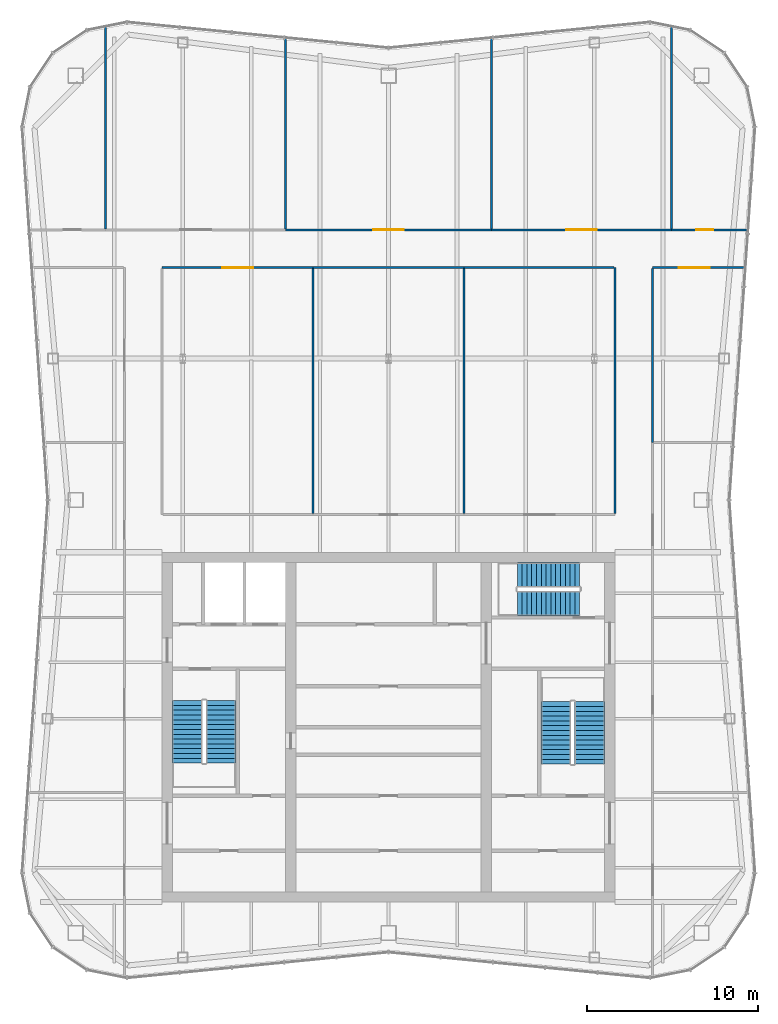
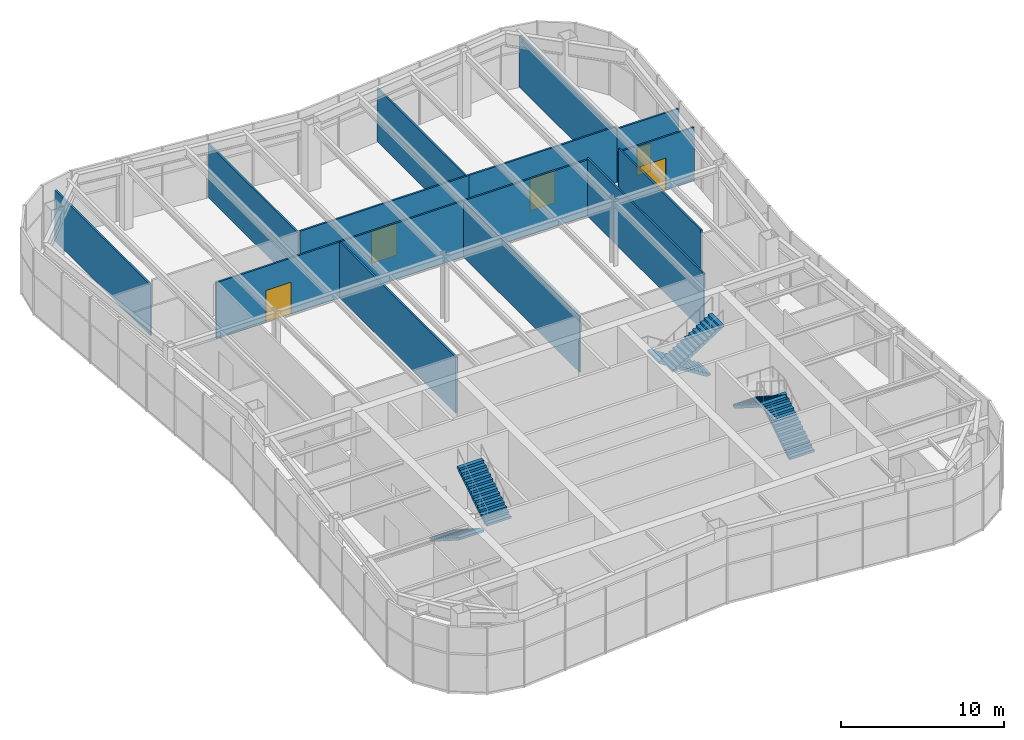
# One storey, part 11 of 13: 15 walls, 6 stair flights, 5 doors, 5 openings, 3 elements without a shape of their own.
"""IFC4 building model written with IfcOpenShell, lengths in metres."""

from ifc_helpers import new_model, si_unit, direction, frame, frame_2d, origin, place, context, subcontext, project, spatial, polyline, rectangle, outline, extrude, material, layer, layer_set, type_object, element, fill, aggregate, save


model = new_model("IFC4")

# Units and contexts
model_context = context("Model", 3, precision=1e-05, world=origin(), true_north=direction((0.0, 1.0)))
body_context = subcontext(model_context, "Body", "Model", "MODEL_VIEW")
ifc_project = project(units=[si_unit("LENGTHUNIT", "METRE"), si_unit("AREAUNIT", "SQUARE_METRE"), si_unit("VOLUMEUNIT", "CUBIC_METRE"), si_unit("PLANEANGLEUNIT", "RADIAN"), si_unit("MASSUNIT", "GRAM", prefix="KILO")], contexts=[model_context])

# Site, building, storey
site_placement = place(None, origin())
site = spatial("IfcSite", under=ifc_project, at=site_placement, CompositionType="ELEMENT")
building_placement = place(site_placement, origin())
building = spatial("IfcBuilding", under=site, at=building_placement, Name="Verdant Reach Tower", CompositionType="ELEMENT")
storey_placement = place(building_placement, frame((0.0, 0.0, 349.5)))
storey = spatial("IfcBuildingStorey", under=building, at=storey_placement, Name="L79 Plant", CompositionType="ELEMENT", Elevation=349.5)

# Wall, opening, door
ifc_material_1 = material(Name="Gypsum board on steel studs, fire rated", Category="steel")
ifc_layer = layer(ifc_material_1, 0.125)
ifc_layer_set = layer_set([ifc_layer], Name="SV-W2 Plant wall 125 EI 60")
wall_type = type_object("IfcWallType", Name="SV-W2 Plant wall 125 EI 60", PredefinedType="PARTITIONING", material=ifc_layer_set)
wall_1_placement = place(storey_placement, frame((-4.39990234375, 54.800048828125, 0.0), z_axis=(0.0, 0.0, 1.0), x_axis=(-1.0, 0.0, 0.0)))
wall_1 = element("IfcWall", 1, at=wall_1_placement, inside=storey, type_object=wall_type, Name="Partition L79.01", PredefinedType="PARTITIONING", context=body_context, shape_type="SweptSolid", body=[
    extrude(rectangle(XDim=8.800048828125, YDim=0.125, at=frame_2d((4.39990234375, 0.0))), origin(), (0.0, 0.0, 1.0), 4.219970703125),
])
opening_1_placement = place(wall_1_placement, frame((3.5, 0.0, 0.0)))
opening_1 = element("IfcOpeningElement", 2, at=opening_1_placement, cuts=wall_1, Name="Opening SD3", PredefinedType="OPENING", context=body_context, shape_type="SweptSolid", body=[
    extrude(rectangle(XDim=1.800048828125, YDim=2.39990234375, at=frame_2d((0.89990234375, 1.199951171875))), frame((0.0, 0.072509765625, 0.0), z_axis=(0.0, -1.0, 0.0), x_axis=(1.0, 0.0, 0.0)), (0.0, 0.0, 1.0), 0.14501953125),
])
ifc_material_2 = material(Name="Steel door leaves, fire rated", Category="steel")
door_type_1 = type_object("IfcDoorType", Name="SV-D3 Equipment door 1800x2400 FD60", OperationType="DOUBLE_DOOR_SINGLE_SWING", PredefinedType="DOOR", material=ifc_material_2)
door_1_placement = place(opening_1_placement, origin())
door_1 = element("IfcDoor", 3, at=door_1_placement, inside=storey, type_object=door_type_1, Name="Door L79-001", OperationType="DOUBLE_DOOR_SINGLE_SWING", OverallHeight=2.39990234375, OverallWidth=1.800048828125, PredefinedType="DOOR", context=body_context, shape_type="SweptSolid", body=[
    extrude(rectangle(XDim=1.800048828125, YDim=2.39990234375, at=frame_2d((0.89990234375, 1.199951171875))), frame((0.0, 0.02490234375, 0.0), z_axis=(0.0, -1.0, 0.0), x_axis=(1.0, 0.0, 0.0)), (0.0, 0.0, 1.0), 0.050048828125),
])
fill(opening_1, door_1)

# Walls
wall_2_placement = place(storey_placement, frame((4.39990234375, 54.800048828125, 0.0), z_axis=(0.0, 0.0, 1.0), x_axis=(-1.0, 0.0, 0.0)))
element("IfcWall", 4, at=wall_2_placement, inside=storey, type_object=wall_type, Name="Partition L79.05", PredefinedType="PARTITIONING", context=body_context, shape_type="SweptSolid", body=[
    extrude(rectangle(XDim=8.7998046875, YDim=0.125, at=frame_2d((4.39990234375, 0.0))), origin(), (0.0, 0.0, 1.0), 4.219970703125),
])
wall_3_placement = place(storey_placement, frame((13.199951171875, 40.46240234375, 0.0), z_axis=(0.0, 0.0, 1.0), x_axis=(0.0, 1.0, 0.0)))
element("IfcWall", 5, at=wall_3_placement, inside=storey, type_object=wall_type, Name="Partition L79.07", PredefinedType="PARTITIONING", context=body_context, shape_type="SweptSolid", body=[
    extrude(rectangle(XDim=14.337646484375, YDim=0.125, at=frame_2d((7.1689453125, 0.0))), origin(), (0.0, 0.0, 1.0), 4.330078125),
])
wall_4_placement = place(storey_placement, frame((13.137451171875, 54.800048828125, 0.0), z_axis=(0.0, 0.0, 1.0), x_axis=(-1.0, 0.0, 0.0)))
element("IfcWall", 6, at=wall_4_placement, inside=storey, type_object=wall_type, Name="Partition L79.08", PredefinedType="PARTITIONING", context=body_context, shape_type="SweptSolid", body=[
    extrude(rectangle(XDim=8.737548828125, YDim=0.125, at=frame_2d((4.36865234375, 0.0))), origin(), (0.0, 0.0, 1.0), 4.219970703125),
])

# Wall, opening, door
wall_5_placement = place(storey_placement, frame((20.764404296875, 54.800048828125, 0.0), z_axis=(0.0, 0.0, 1.0), x_axis=(-1.0, 0.0, 0.0)))
wall_5 = element("IfcWall", 7, at=wall_5_placement, inside=storey, type_object=wall_type, Name="Partition L79.17", PredefinedType="PARTITIONING", context=body_context, shape_type="SweptSolid", body=[
    extrude(rectangle(XDim=5.364501953125, YDim=0.125, at=frame_2d((2.68212890625, 0.0))), origin(), (0.0, 0.0, 1.0), 4.02001953125),
])
opening_2_placement = place(wall_5_placement, frame((2.048095703125, 0.0, 0.0)))
opening_2 = element("IfcOpeningElement", 8, at=opening_2_placement, cuts=wall_5, Name="Opening SD3", PredefinedType="OPENING", context=body_context, shape_type="SweptSolid", body=[
    extrude(rectangle(XDim=1.800048828125, YDim=2.39990234375, at=frame_2d((0.89990234375, 1.199951171875))), frame((0.0, 0.072509765625, 0.0), z_axis=(0.0, -1.0, 0.0), x_axis=(1.0, 0.0, 0.0)), (0.0, 0.0, 1.0), 0.14501953125),
])
door_2_placement = place(opening_2_placement, origin())
door_2 = element("IfcDoor", 9, at=door_2_placement, inside=storey, type_object=door_type_1, Name="Door L79-011", OperationType="DOUBLE_DOOR_SINGLE_SWING", OverallHeight=2.39990234375, OverallWidth=1.800048828125, PredefinedType="DOOR", context=body_context, shape_type="SweptSolid", body=[
    extrude(rectangle(XDim=1.800048828125, YDim=2.39990234375, at=frame_2d((0.89990234375, 1.199951171875))), frame((0.0, 0.02490234375, 0.0), z_axis=(0.0, -1.0, 0.0), x_axis=(1.0, 0.0, 0.0)), (0.0, 0.0, 1.0), 0.050048828125),
])
fill(opening_2, door_2)

# Wall
wall_6_placement = place(storey_placement, frame((15.39990234375, 54.737548828125, 0.0), z_axis=(0.0, 0.0, 1.0), x_axis=(0.0, -1.0, 0.0)))
element("IfcWall", 10, at=wall_6_placement, inside=storey, type_object=wall_type, Name="Partition L79.18", PredefinedType="PARTITIONING", context=body_context, shape_type="SweptSolid", body=[
    extrude(rectangle(XDim=10.137451171875, YDim=0.125, at=frame_2d((5.06884765625, 0.0))), origin(), (0.0, 0.0, 1.0), 4.330078125),
])

# Wall, opening, door
wall_7_placement = place(storey_placement, frame((6.0, 57.0, 0.0), z_axis=(0.0, 0.0, 1.0), x_axis=(-1.0, 0.0, 0.0)))
wall_7 = element("IfcWall", 11, at=wall_7_placement, inside=storey, type_object=wall_type, Name="Partition L79.21", PredefinedType="PARTITIONING", context=body_context, shape_type="SweptSolid", body=[
    extrude(rectangle(XDim=12.0, YDim=0.125, at=frame_2d((6.0, 0.0))), origin(), (0.0, 0.0, 1.0), 4.219970703125),
])
opening_3_placement = place(wall_7_placement, frame((5.10009765625, 0.0, 0.0)))
opening_3 = element("IfcOpeningElement", 12, at=opening_3_placement, cuts=wall_7, Name="Opening SD3", PredefinedType="OPENING", context=body_context, shape_type="SweptSolid", body=[
    extrude(rectangle(XDim=1.800048828125, YDim=2.39990234375, at=frame_2d((0.89990234375, 1.199951171875))), frame((0.0, 0.072509765625, 0.0), z_axis=(0.0, -1.0, 0.0), x_axis=(1.0, 0.0, 0.0)), (0.0, 0.0, 1.0), 0.14501953125),
])
door_3_placement = place(opening_3_placement, origin())
door_3 = element("IfcDoor", 13, at=door_3_placement, inside=storey, type_object=door_type_1, Name="Door L79-014", OperationType="DOUBLE_DOOR_SINGLE_SWING", OverallHeight=2.39990234375, OverallWidth=1.800048828125, PredefinedType="DOOR", context=body_context, shape_type="SweptSolid", body=[
    extrude(rectangle(XDim=1.800048828125, YDim=2.39990234375, at=frame_2d((0.89990234375, 1.199951171875))), frame((0.0, 0.02490234375, 0.0), z_axis=(0.0, -1.0, 0.0), x_axis=(1.0, 0.0, 0.0)), (0.0, 0.0, 1.0), 0.050048828125),
])
fill(opening_3, door_3)

wall_8_placement = place(storey_placement, frame((16.5, 57.0, 0.0), z_axis=(0.0, 0.0, 1.0), x_axis=(-1.0, 0.0, 0.0)))
wall_8 = element("IfcWall", 14, at=wall_8_placement, inside=storey, type_object=wall_type, Name="Partition L79.22", PredefinedType="PARTITIONING", context=body_context, shape_type="SweptSolid", body=[
    extrude(rectangle(XDim=10.5, YDim=0.125, at=frame_2d((5.25, 0.0))), origin(), (0.0, 0.0, 1.0), 4.219970703125),
])
opening_4_placement = place(wall_8_placement, frame((4.35009765625, 0.0, 0.0)))
opening_4 = element("IfcOpeningElement", 15, at=opening_4_placement, cuts=wall_8, Name="Opening SD3", PredefinedType="OPENING", context=body_context, shape_type="SweptSolid", body=[
    extrude(rectangle(XDim=1.800048828125, YDim=2.39990234375, at=frame_2d((0.89990234375, 1.199951171875))), frame((0.0, 0.072509765625, 0.0), z_axis=(0.0, -1.0, 0.0), x_axis=(1.0, 0.0, 0.0)), (0.0, 0.0, 1.0), 0.14501953125),
])
door_4_placement = place(opening_4_placement, origin())
door_4 = element("IfcDoor", 16, at=door_4_placement, inside=storey, type_object=door_type_1, Name="Door L79-015", OperationType="DOUBLE_DOOR_SINGLE_SWING", OverallHeight=2.39990234375, OverallWidth=1.800048828125, PredefinedType="DOOR", context=body_context, shape_type="SweptSolid", body=[
    extrude(rectangle(XDim=1.800048828125, YDim=2.39990234375, at=frame_2d((0.89990234375, 1.199951171875))), frame((0.0, 0.02490234375, 0.0), z_axis=(0.0, -1.0, 0.0), x_axis=(1.0, 0.0, 0.0)), (0.0, 0.0, 1.0), 0.050048828125),
])
fill(opening_4, door_4)

wall_9_placement = place(storey_placement, frame((20.916259765625, 57.0, 0.0), z_axis=(0.0, 0.0, 1.0), x_axis=(-1.0, 0.0, 0.0)))
wall_9 = element("IfcWall", 17, at=wall_9_placement, inside=storey, type_object=wall_type, Name="Partition L79.23", PredefinedType="PARTITIONING", context=body_context, shape_type="SweptSolid", body=[
    extrude(rectangle(XDim=4.416259765625, YDim=0.125, at=frame_2d((2.2080078125, 0.0))), origin(), (0.0, 0.0, 1.0), 4.02001953125),
])
opening_5_placement = place(wall_9_placement, frame((1.9736328125, 0.0, 0.0)))
opening_5 = element("IfcOpeningElement", 18, at=opening_5_placement, cuts=wall_9, Name="Opening SD4", PredefinedType="OPENING", context=body_context, shape_type="SweptSolid", body=[
    extrude(rectangle(XDim=1.0, YDim=2.10009765625, at=frame_2d((0.5, 1.050048828125))), frame((0.0, 0.072509765625, 0.0), z_axis=(0.0, -1.0, 0.0), x_axis=(1.0, 0.0, 0.0)), (0.0, 0.0, 1.0), 0.14501953125),
])
ifc_material_3 = material(Name="Steel door leaf, fire rated", Category="steel")
door_type_2 = type_object("IfcDoorType", Name="SV-D4 Door 1000x2100 FD120", OperationType="NOTDEFINED", PredefinedType="DOOR", material=ifc_material_3)
door_5_placement = place(opening_5_placement, origin())
door_5 = element("IfcDoor", 19, at=door_5_placement, inside=storey, type_object=door_type_2, Name="Door L79-016", OperationType="SINGLE_SWING_RIGHT", OverallHeight=2.10009765625, OverallWidth=1.0, PredefinedType="DOOR", context=body_context, shape_type="SweptSolid", body=[
    extrude(rectangle(XDim=1.0, YDim=2.10009765625, at=frame_2d((0.5, 1.050048828125))), frame((0.0, 0.02490234375, 0.0), z_axis=(0.0, -1.0, 0.0), x_axis=(1.0, 0.0, 0.0)), (0.0, 0.0, 1.0), 0.050048828125),
])
fill(opening_5, door_5)

# Walls
for number, where, z_axis, x_axis, name in (
    (20, (-4.39990234375, 54.737548828125, 0.0), (0.0, 0.0, 1.0), (0.0, -1.0, 0.0), "Partition L79.24"),
    (21, (4.39990234375, 54.737548828125, 0.0), (0.0, 0.0, 1.0), (0.0, -1.0, 0.0), "Partition L79.25"),
):
    element("IfcWall", number, at=place(storey_placement, frame(where, z_axis=z_axis, x_axis=x_axis)), inside=storey, type_object=wall_type, Name=name, PredefinedType="PARTITIONING", context=body_context, shape_type="SweptSolid", body=[
        extrude(rectangle(XDim=14.275146484375, YDim=0.125, at=frame_2d((7.1376953125, 0.0))), origin(), (0.0, 0.0, 1.0), 4.219970703125),
    ])
wall_10_placement = place(storey_placement, frame((-16.5, 68.831298828125, 0.0), z_axis=(0.0, 0.0, 1.0), x_axis=(0.0, -1.0, 0.0)))
element("IfcWall", 22, at=wall_10_placement, inside=storey, type_object=wall_type, Name="Partition L79.32", PredefinedType="PARTITIONING", context=body_context, shape_type="SweptSolid", body=[
    extrude(rectangle(XDim=11.768798828125, YDim=0.125, at=frame_2d((5.88427734375, 0.0))), origin(), (0.0, 0.0, 1.0), 3.81201171875),
])
for number, where, z_axis, x_axis, name in (
    (23, (-6.0, 68.170166015625, 0.0), (0.0, 0.0, 1.0), (0.0, -1.0, 0.0), "Partition L79.33"),
    (24, (6.0, 68.170166015625, 0.0), (0.0, 0.0, 1.0), (0.0, -1.0, 0.0), "Partition L79.34"),
):
    element("IfcWall", number, at=place(storey_placement, frame(where, z_axis=z_axis, x_axis=x_axis)), inside=storey, type_object=wall_type, Name=name, PredefinedType="PARTITIONING", context=body_context, shape_type="SweptSolid", body=[
        extrude(rectangle(XDim=11.107666015625, YDim=0.125, at=frame_2d((5.5537109375, 0.0))), origin(), (0.0, 0.0, 1.0), 4.02001953125),
    ])
wall_11_placement = place(storey_placement, frame((16.5, 68.831298828125, 0.0), z_axis=(0.0, 0.0, 1.0), x_axis=(0.0, -1.0, 0.0)))
element("IfcWall", 25, at=wall_11_placement, inside=storey, type_object=wall_type, Name="Partition L79.35", PredefinedType="PARTITIONING", context=body_context, shape_type="SweptSolid", body=[
    extrude(rectangle(XDim=11.768798828125, YDim=0.125, at=frame_2d((5.88427734375, 0.0))), origin(), (0.0, 0.0, 1.0), 3.81201171875),
])

# Stair, stair flights
ifc_material_4 = material(Name="Concrete C40/50", Category="concrete")
stair_type = type_object("IfcStairType", Name="CO-STAIR", PredefinedType="HALF_TURN_STAIR", material=ifc_material_4)
stair_1_placement = place(storey_placement, origin())
stair_1 = element("IfcStair", 26, at=stair_1_placement, inside=storey, type_object=stair_type, Name="L79 Plant Exit stair 1", PredefinedType="HALF_TURN_STAIR")
stair_flight_type = type_object("IfcStairFlightType", Name="CO-STAIR-FLIGHT", PredefinedType="STRAIGHT", material=ifc_material_4)
stair_flight_1_placement = place(storey_placement, frame((-11.72509765625, 29.550048828125, 0.0), z_axis=(0.0, 0.0, 1.0), x_axis=(0.0, -1.0, 0.0)))
stair_flight_1 = element("IfcStairFlight", 27, at=stair_flight_1_placement, type_object=stair_flight_type, Name="ST-1 flight 1", NumberOfRisers=14, NumberOfTreads=13, PredefinedType="STRAIGHT", RiserHeight=0.178571429, TreadLength=0.28, context=body_context, shape_type="SweptSolid", body=[
    extrude(outline(polyline([(0.0, 0.0), (0.0, 0.178466796875), (0.280029296875, 0.178466796875), (0.280029296875, 0.357177734375), (0.56005859375, 0.357177734375), (0.56005859375, 0.53564453125), (0.840087890625, 0.53564453125), (0.840087890625, 0.71435546875), (1.1201171875, 0.71435546875), (1.1201171875, 0.892822265625), (1.39990234375, 0.892822265625), (1.39990234375, 1.071533203125), (1.679931640625, 1.071533203125), (1.679931640625, 1.25), (1.9599609375, 1.25), (1.9599609375, 1.428466796875), (2.239990234375, 1.428466796875), (2.239990234375, 1.607177734375), (2.52001953125, 1.607177734375), (2.52001953125, 1.78564453125), (2.800048828125, 1.78564453125), (2.800048828125, 1.96435546875), (3.080078125, 1.96435546875), (3.080078125, 2.142822265625), (3.360107421875, 2.142822265625), (3.360107421875, 2.321533203125), (3.639892578125, 2.321533203125), (3.639892578125, 2.5), (3.639892578125, 2.1435546875), (0.27880859375, 0.0), (0.0, 0.0)])), frame((0.0, 0.875, 0.0), z_axis=(0.0, -1.0, 0.0), x_axis=(1.0, 0.0, 0.0)), (0.0, 0.0, 1.0), 1.75),
])
stair_flight_2_placement = place(storey_placement, frame((-9.77490234375, 25.909912109375, 2.5), z_axis=(0.0, 0.0, 1.0), x_axis=(0.0, 1.0, 0.0)))
stair_flight_2 = element("IfcStairFlight", 28, at=stair_flight_2_placement, type_object=stair_flight_type, Name="ST-1 flight 2", NumberOfRisers=14, NumberOfTreads=13, PredefinedType="STRAIGHT", RiserHeight=0.178571429, TreadLength=0.28, context=body_context, shape_type="SweptSolid", body=[
    extrude(outline(polyline([(0.0, 0.0), (0.0, 0.178466796875), (0.280029296875, 0.178466796875), (0.280029296875, 0.357177734375), (0.56005859375, 0.357177734375), (0.56005859375, 0.53564453125), (0.840087890625, 0.53564453125), (0.840087890625, 0.71435546875), (1.1201171875, 0.71435546875), (1.1201171875, 0.892822265625), (1.39990234375, 0.892822265625), (1.39990234375, 1.071533203125), (1.679931640625, 1.071533203125), (1.679931640625, 1.25), (1.9599609375, 1.25), (1.9599609375, 1.428466796875), (2.239990234375, 1.428466796875), (2.239990234375, 1.607177734375), (2.52001953125, 1.607177734375), (2.52001953125, 1.78564453125), (2.800048828125, 1.78564453125), (2.800048828125, 1.96435546875), (3.080078125, 1.96435546875), (3.080078125, 2.142822265625), (3.360107421875, 2.142822265625), (3.360107421875, 2.321533203125), (3.639892578125, 2.321533203125), (3.639892578125, 2.5), (3.639892578125, 2.1435546875), (0.27880859375, 0.0), (0.0, 0.0)])), frame((0.0, 0.875, 0.0), z_axis=(0.0, -1.0, 0.0), x_axis=(1.0, 0.0, 0.0)), (0.0, 0.0, 1.0), 1.75),
])
aggregate(stair_1, [stair_flight_1, stair_flight_2])

stair_2_placement = place(storey_placement, origin())
stair_2 = element("IfcStair", 29, at=stair_2_placement, inside=storey, type_object=stair_type, Name="L79 Plant Exit stair 2", PredefinedType="HALF_TURN_STAIR")
stair_flight_3_placement = place(storey_placement, frame((11.72509765625, 25.85009765625, 0.0), z_axis=(0.0, 0.0, 1.0), x_axis=(0.0, 1.0, 0.0)))
stair_flight_3 = element("IfcStairFlight", 30, at=stair_flight_3_placement, type_object=stair_flight_type, Name="ST-2 flight 1", NumberOfRisers=14, NumberOfTreads=13, PredefinedType="STRAIGHT", RiserHeight=0.178571429, TreadLength=0.28, context=body_context, shape_type="SweptSolid", body=[
    extrude(outline(polyline([(0.0, 0.0), (0.0, 0.178466796875), (0.280029296875, 0.178466796875), (0.280029296875, 0.357177734375), (0.56005859375, 0.357177734375), (0.56005859375, 0.53564453125), (0.840087890625, 0.53564453125), (0.840087890625, 0.71435546875), (1.1201171875, 0.71435546875), (1.1201171875, 0.892822265625), (1.39990234375, 0.892822265625), (1.39990234375, 1.071533203125), (1.679931640625, 1.071533203125), (1.679931640625, 1.25), (1.9599609375, 1.25), (1.9599609375, 1.428466796875), (2.239990234375, 1.428466796875), (2.239990234375, 1.607177734375), (2.52001953125, 1.607177734375), (2.52001953125, 1.78564453125), (2.800048828125, 1.78564453125), (2.800048828125, 1.96435546875), (3.080078125, 1.96435546875), (3.080078125, 2.142822265625), (3.360107421875, 2.142822265625), (3.360107421875, 2.321533203125), (3.639892578125, 2.321533203125), (3.639892578125, 2.5), (3.639892578125, 2.1435546875), (0.27880859375, 0.0), (0.0, 0.0)])), frame((0.0, 0.875, 0.0), z_axis=(0.0, -1.0, 0.0), x_axis=(1.0, 0.0, 0.0)), (0.0, 0.0, 1.0), 1.75),
])
stair_flight_4_placement = place(storey_placement, frame((9.77490234375, 29.489990234375, 2.5), z_axis=(0.0, 0.0, 1.0), x_axis=(0.0, -1.0, 0.0)))
stair_flight_4 = element("IfcStairFlight", 31, at=stair_flight_4_placement, type_object=stair_flight_type, Name="ST-2 flight 2", NumberOfRisers=14, NumberOfTreads=13, PredefinedType="STRAIGHT", RiserHeight=0.178571429, TreadLength=0.28, context=body_context, shape_type="SweptSolid", body=[
    extrude(outline(polyline([(0.0, 0.0), (0.0, 0.178466796875), (0.280029296875, 0.178466796875), (0.280029296875, 0.357177734375), (0.56005859375, 0.357177734375), (0.56005859375, 0.53564453125), (0.840087890625, 0.53564453125), (0.840087890625, 0.71435546875), (1.1201171875, 0.71435546875), (1.1201171875, 0.892822265625), (1.39990234375, 0.892822265625), (1.39990234375, 1.071533203125), (1.679931640625, 1.071533203125), (1.679931640625, 1.25), (1.9599609375, 1.25), (1.9599609375, 1.428466796875), (2.239990234375, 1.428466796875), (2.239990234375, 1.607177734375), (2.52001953125, 1.607177734375), (2.52001953125, 1.78564453125), (2.800048828125, 1.78564453125), (2.800048828125, 1.96435546875), (3.080078125, 1.96435546875), (3.080078125, 2.142822265625), (3.360107421875, 2.142822265625), (3.360107421875, 2.321533203125), (3.639892578125, 2.321533203125), (3.639892578125, 2.5), (3.639892578125, 2.1435546875), (0.27880859375, 0.0), (0.0, 0.0)])), frame((0.0, 0.875, 0.0), z_axis=(0.0, -1.0, 0.0), x_axis=(1.0, 0.0, 0.0)), (0.0, 0.0, 1.0), 1.75),
])
aggregate(stair_2, [stair_flight_3, stair_flight_4])

stair_3_placement = place(storey_placement, origin())
stair_3 = element("IfcStair", 32, at=stair_3_placement, inside=storey, type_object=stair_type, Name="L79 Plant Exit stair 3", PredefinedType="HALF_TURN_STAIR")
stair_flight_5_placement = place(storey_placement, frame((11.14990234375, 36.875, 0.0), z_axis=(0.0, 0.0, 1.0), x_axis=(-1.0, 0.0, 0.0)))
stair_flight_5 = element("IfcStairFlight", 33, at=stair_flight_5_placement, type_object=stair_flight_type, Name="ST-3 flight 1", NumberOfRisers=14, NumberOfTreads=13, PredefinedType="STRAIGHT", RiserHeight=0.178571429, TreadLength=0.28, context=body_context, shape_type="SweptSolid", body=[
    extrude(outline(polyline([(0.0, 0.0), (0.0, 0.178466796875), (0.280029296875, 0.178466796875), (0.280029296875, 0.357177734375), (0.56005859375, 0.357177734375), (0.56005859375, 0.53564453125), (0.840087890625, 0.53564453125), (0.840087890625, 0.71435546875), (1.1201171875, 0.71435546875), (1.1201171875, 0.892822265625), (1.39990234375, 0.892822265625), (1.39990234375, 1.071533203125), (1.679931640625, 1.071533203125), (1.679931640625, 1.25), (1.9599609375, 1.25), (1.9599609375, 1.428466796875), (2.239990234375, 1.428466796875), (2.239990234375, 1.607177734375), (2.52001953125, 1.607177734375), (2.52001953125, 1.78564453125), (2.800048828125, 1.78564453125), (2.800048828125, 1.96435546875), (3.080078125, 1.96435546875), (3.080078125, 2.142822265625), (3.360107421875, 2.142822265625), (3.360107421875, 2.321533203125), (3.639892578125, 2.321533203125), (3.639892578125, 2.5), (3.639892578125, 2.1435546875), (0.27880859375, 0.0), (0.0, 0.0)])), frame((0.0, 0.72509765625, 0.0), z_axis=(0.0, -1.0, 0.0), x_axis=(1.0, 0.0, 0.0)), (0.0, 0.0, 1.0), 1.449951171875),
])
stair_flight_6_placement = place(storey_placement, frame((7.510009765625, 35.22509765625, 2.5), z_axis=(0.0, 0.0, 1.0), x_axis=(1.0, 0.0, 0.0)))
stair_flight_6 = element("IfcStairFlight", 34, at=stair_flight_6_placement, type_object=stair_flight_type, Name="ST-3 flight 2", NumberOfRisers=14, NumberOfTreads=13, PredefinedType="STRAIGHT", RiserHeight=0.178571429, TreadLength=0.28, context=body_context, shape_type="SweptSolid", body=[
    extrude(outline(polyline([(0.0, 0.0), (0.0, 0.178466796875), (0.280029296875, 0.178466796875), (0.280029296875, 0.357177734375), (0.56005859375, 0.357177734375), (0.56005859375, 0.53564453125), (0.840087890625, 0.53564453125), (0.840087890625, 0.71435546875), (1.1201171875, 0.71435546875), (1.1201171875, 0.892822265625), (1.39990234375, 0.892822265625), (1.39990234375, 1.071533203125), (1.679931640625, 1.071533203125), (1.679931640625, 1.25), (1.9599609375, 1.25), (1.9599609375, 1.428466796875), (2.239990234375, 1.428466796875), (2.239990234375, 1.607177734375), (2.52001953125, 1.607177734375), (2.52001953125, 1.78564453125), (2.800048828125, 1.78564453125), (2.800048828125, 1.96435546875), (3.080078125, 1.96435546875), (3.080078125, 2.142822265625), (3.360107421875, 2.142822265625), (3.360107421875, 2.321533203125), (3.639892578125, 2.321533203125), (3.639892578125, 2.5), (3.639892578125, 2.1435546875), (0.27880859375, 0.0), (0.0, 0.0)])), frame((0.0, 0.72509765625, 0.0), z_axis=(0.0, -1.0, 0.0), x_axis=(1.0, 0.0, 0.0)), (0.0, 0.0, 1.0), 1.449951171875),
])
aggregate(stair_3, [stair_flight_5, stair_flight_6])

save(model, "model.ifc")
